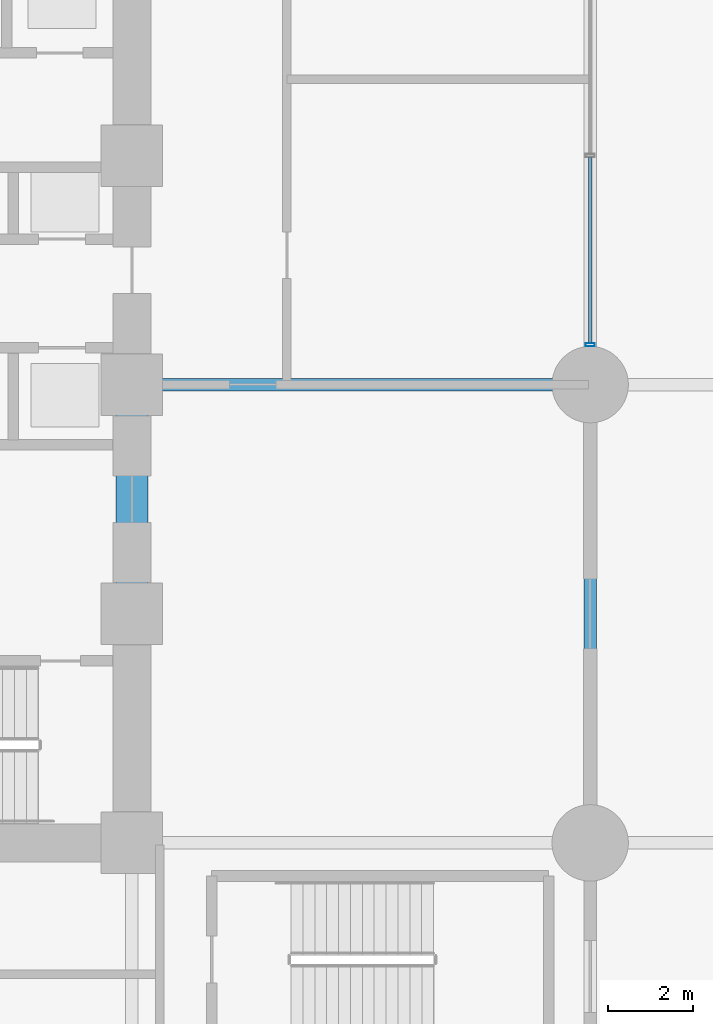
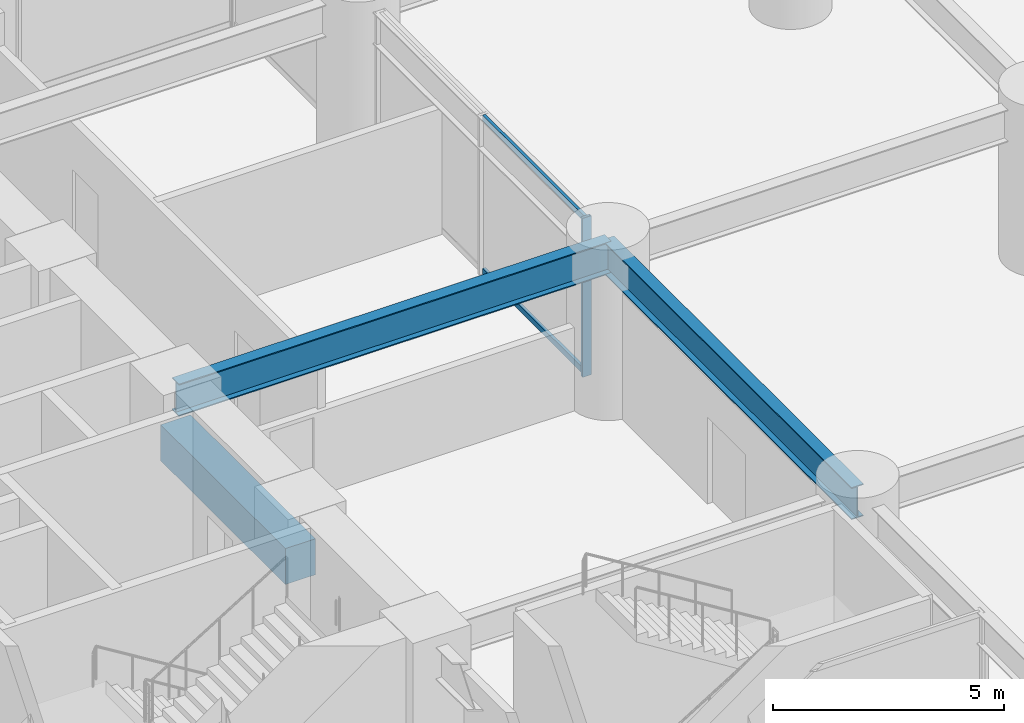
# One storey, part 11 of 29: 3 beams, 3 members, 1 element without a shape of its own.
"""IFC4 building model written with IfcOpenShell, lengths in metres."""

from ifc_helpers import new_model, si_unit, direction, frame, origin, origin_2d, place, context, subcontext, project, spatial, rectangle, hollow_rectangle, i_section, extrude, material, layer, layer_set, material_profile, profile_set, type_object, element, aggregate, save


model = new_model("IFC4")

# Units and contexts
model_context = context("Model", 3, precision=1e-05, world=origin(), true_north=direction((0.0, 1.0)))
body_context = subcontext(model_context, "Body", "Model", "MODEL_VIEW")
ifc_project = project(units=[si_unit("LENGTHUNIT", "METRE"), si_unit("AREAUNIT", "SQUARE_METRE"), si_unit("VOLUMEUNIT", "CUBIC_METRE"), si_unit("PLANEANGLEUNIT", "RADIAN"), si_unit("MASSUNIT", "GRAM", prefix="KILO")], contexts=[model_context])

# Site, building, storey
site_placement = place(None, origin())
site = spatial("IfcSite", under=ifc_project, at=site_placement, CompositionType="ELEMENT")
building_placement = place(site_placement, origin())
building = spatial("IfcBuilding", under=site, at=building_placement, Name="Surkhivell Harbour Commons", CompositionType="ELEMENT")
storey_placement = place(building_placement, origin())
storey = spatial("IfcBuildingStorey", under=building, at=storey_placement, Name="L00", CompositionType="ELEMENT", Elevation=0.0)

# Beams
ifc_material_1 = material(Name="Concrete C60/75", Category="concrete")
ifc_material_profile_1 = material_profile(ifc_material_1, rectangle(XDim=0.75, YDim=0.949951171875, at=origin_2d()), Name="RC-CBM-750x950")
ifc_profile_set_1 = profile_set([ifc_material_profile_1], Name="Concrete C60/75")
beam_type_1 = type_object("IfcBeamType", Name="BM-CPL-RC950", PredefinedType="BEAM", material=ifc_profile_set_1)
beam_placement = place(storey_placement, frame((10.800048828125, -5.39990234375, 2.699951171875), z_axis=(0.0, 1.0, 0.0), x_axis=(-1.0, 0.0, 0.0)))
element("IfcBeam", 1, at=beam_placement, inside=storey, type_object=beam_type_1, Name="L00 Core Coupling Beam CB-1", PredefinedType="BEAM", context=body_context, shape_type="SweptSolid", body=[
    extrude(rectangle(XDim=0.75, YDim=0.949951171875, at=origin_2d()), origin(), (0.0, 0.0, 1.0), 5.39990234375),
])
ifc_material_2 = material(Name="Steel S460", Category="steel")
ifc_material_profile_2 = material_profile(ifc_material_2, i_section(OverallWidth=0.2939453125, OverallDepth=0.85107421875, WebThickness=0.01611328125, FlangeThickness=0.02685546875, at=origin_2d()), Name="UB838x292x226")
ifc_profile_set_2 = profile_set([ifc_material_profile_2], Name="Steel S460")
beam_type_2 = type_object("IfcBeamType", Name="BM-SPN-838", PredefinedType="SPANDREL", material=ifc_profile_set_2)
for number, where, z_axis, x_axis, name in (
    (2, (10.800048828125, 0.0, 3.7744140625), (1.0, 0.0, 0.0), (0.0, 1.0, 0.0), "L00 Framing Beam (10.8,0.0)"),
    (3, (21.60009765625, -10.800048828125, 3.7744140625), (0.0, 1.0, 0.0), (-1.0, 0.0, 0.0), "L00 Framing Beam (21.6,-10.8)"),
):
    element("IfcBeam", number, at=place(storey_placement, frame(where, z_axis=z_axis, x_axis=x_axis)), inside=storey, type_object=beam_type_2, Name=name, PredefinedType="SPANDREL", context=body_context, shape_type="SweptSolid", body=[
        extrude(i_section(OverallWidth=0.2939453125, OverallDepth=0.85107421875, WebThickness=0.01611328125, FlangeThickness=0.02685546875, at=origin_2d()), origin(), (0.0, 0.0, 1.0), 10.800048828125),
    ])

# Curtain wall, members
ifc_material_3 = material(Name="Anodised pale-metal aluminium and insulated glazing", Category="aluminium")
ifc_layer = layer(ifc_material_3, 0.239990234375)
ifc_layer_set = layer_set([ifc_layer], Name="Anodised pale-metal aluminium and insulated glazing")
curtain_wall_type = type_object("IfcCurtainWallType", Name="CW-SYS-POD", PredefinedType="NOTDEFINED", material=ifc_layer_set)
curtain_wall_placement = place(storey_placement, origin())
curtain_wall = element("IfcCurtainWall", 4, at=curtain_wall_placement, inside=storey, type_object=curtain_wall_type, Name="L00 Curtain Wall CW-L00-P06", PredefinedType="NOTDEFINED")
ifc_material_4 = material(Name="Anodised pale-metal aluminium alloy 6063-T6", Category="aluminium")
ifc_material_profile_3 = material_profile(ifc_material_4, hollow_rectangle(XDim=0.074951171875, YDim=0.219970703125, WallThickness=0.00390625, at=origin_2d()), Name="ALU-MULL-75x220")
ifc_profile_set_3 = profile_set([ifc_material_profile_3], Name="Anodised pale-metal aluminium alloy 6063-T6")
member_type_1 = type_object("IfcMemberType", Name="CWM-220", PredefinedType="MULLION", material=ifc_profile_set_3)
member_1_placement = place(storey_placement, frame((21.60009765625, 0.939453125, 0.0), z_axis=(0.0, 0.0, 1.0), x_axis=(0.0, -1.0, 0.0)))
member_1 = element("IfcMember", 5, at=member_1_placement, type_object=member_type_1, Name="CW-POD mullion 4", PredefinedType="MULLION", context=body_context, shape_type="SweptSolid", body=[
    extrude(hollow_rectangle(XDim=0.074951171875, YDim=0.219970703125, WallThickness=0.00390625, at=origin_2d()), origin(), (0.0, 0.0, 1.0), 4.199951171875),
])
ifc_material_profile_4 = material_profile(ifc_material_4, hollow_rectangle(XDim=0.074951171875, YDim=0.14990234375, WallThickness=0.00341796875, at=origin_2d()), Name="ALU-TRAN-75x150")
ifc_profile_set_4 = profile_set([ifc_material_profile_4], Name="Anodised pale-metal aluminium alloy 6063-T6")
member_type_2 = type_object("IfcMemberType", Name="CWT-150", PredefinedType="USERDEFINED", material=ifc_profile_set_4)
member_2_placement = place(storey_placement, frame((21.60009765625, 5.362548828125, 0.074951171875), z_axis=(0.0, -1.0, 0.0), x_axis=(1.0, 0.0, 0.0)))
member_2 = element("IfcMember", 6, at=member_2_placement, type_object=member_type_2, Name="CW-POD transom 3.1", ObjectType="TRANSOM", PredefinedType="USERDEFINED", context=body_context, shape_type="SweptSolid", body=[
    extrude(hollow_rectangle(XDim=0.074951171875, YDim=0.14990234375, WallThickness=0.00341796875, at=origin_2d()), origin(), (0.0, 0.0, 1.0), 4.385498046875),
])
member_3_placement = place(storey_placement, frame((21.60009765625, 5.362548828125, 4.125), z_axis=(0.0, -1.0, 0.0), x_axis=(1.0, 0.0, 0.0)))
member_3 = element("IfcMember", 7, at=member_3_placement, type_object=member_type_2, Name="CW-POD transom 3.2", ObjectType="TRANSOM", PredefinedType="USERDEFINED", context=body_context, shape_type="SweptSolid", body=[
    extrude(hollow_rectangle(XDim=0.074951171875, YDim=0.14990234375, WallThickness=0.00341796875, at=origin_2d()), origin(), (0.0, 0.0, 1.0), 4.385498046875),
])
aggregate(curtain_wall, [member_1, member_2, member_3])

save(model, "model.ifc")
